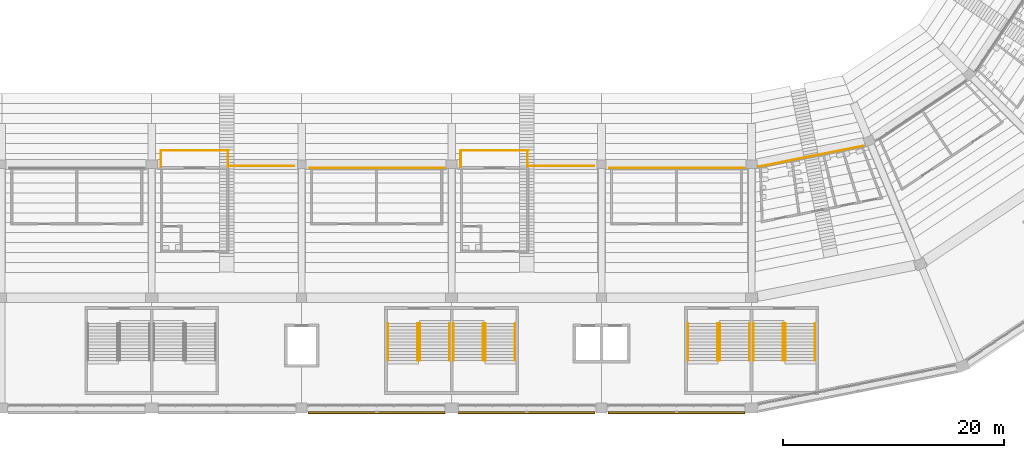
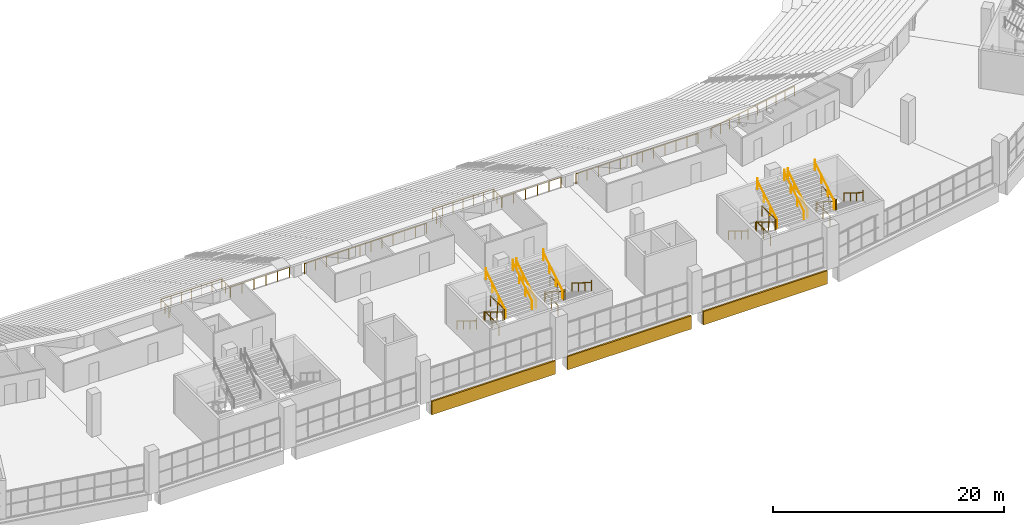
# One storey, part 235 of 249: 35 railings, 3 coverings.
"""IFC4 building model written with IfcOpenShell, lengths in metres."""

from ifc_helpers import new_model, si_unit, direction, frame, origin, origin_2d, place, context, subcontext, project, spatial, polyline, circle, outline, extrude, material, layer, layer_set, type_object, element, save


model = new_model("IFC4")

# Units and contexts
model_context = context("Model", 3, precision=1e-05, world=origin(), true_north=direction((0.0, 1.0)))
body_context = subcontext(model_context, "Body", "Model", "MODEL_VIEW")
ifc_project = project(units=[si_unit("LENGTHUNIT", "METRE"), si_unit("AREAUNIT", "SQUARE_METRE"), si_unit("VOLUMEUNIT", "CUBIC_METRE"), si_unit("PLANEANGLEUNIT", "RADIAN"), si_unit("MASSUNIT", "GRAM", prefix="KILO")], contexts=[model_context])

# Site, building, storey
site_placement = place(None, origin())
site = spatial("IfcSite", under=ifc_project, at=site_placement, CompositionType="ELEMENT")
building_placement = place(site_placement, origin())
building = spatial("IfcBuilding", under=site, at=building_placement, Name="Ogive Plaza Stadium", CompositionType="ELEMENT")
storey_placement = place(building_placement, frame((0.0, 0.0, 13.5)))
storey = spatial("IfcBuildingStorey", under=building, at=storey_placement, Name="L03", CompositionType="ELEMENT", Elevation=13.5)

# Railings
ifc_material_1 = material(Name="Steel ASTM A572 Grade 50", Category="steel")
railing_type_1 = type_object("IfcRailingType", Name="Guard 1100", PredefinedType="GUARDRAIL", material=ifc_material_1)
for number, where, name in (
    (1, (31.02490234375, -94.85009765625, 0.0), "Stair well guard ST12A L03"),
    (2, (31.02490234375, -95.81005859375, 2.25), "Stair well guard ST12A L03"),
    (3, (36.97509765625, -94.85009765625, 0.0), "Stair well guard ST12B L03"),
    (4, (36.97509765625, -95.81005859375, 2.25), "Stair well guard ST12B L03"),
    (5, (3.824951171875, -94.85009765625, 0.0), "Stair well guard ST14A L03"),
    (6, (3.824951171875, -95.81005859375, 2.25), "Stair well guard ST14A L03"),
    (7, (9.77490234375, -94.85009765625, 0.0), "Stair well guard ST14B L03"),
    (8, (9.77490234375, -95.81005859375, 2.25), "Stair well guard ST14B L03"),
):
    element("IfcRailing", number, at=place(storey_placement, frame(where)), inside=storey, type_object=railing_type_1, Name=name, PredefinedType="GUARDRAIL", context=body_context, shape_type="SweptSolid", body=[
        extrude(circle(Radius=0.02392578125, at=origin_2d()), frame((0.0, 0.0, 1.076171875), z_axis=(0.0, -1.0, 0.0), x_axis=(1.0, 0.0, 0.0)), (0.0, 0.0, 1.0), 2.39990234375),
        extrude(circle(Radius=0.02099609375, at=origin_2d()), origin(), (0.0, 0.0, 1.0), 1.052001953125),
        extrude(circle(Radius=0.02099609375, at=origin_2d()), frame((0.0, -1.199951171875, 0.0)), (0.0, 0.0, 1.0), 1.052001953125),
        extrude(circle(Radius=0.02099609375, at=origin_2d()), frame((0.0, -2.39990234375, 0.0)), (0.0, 0.0, 1.0), 1.052001953125),
    ])
railing_1_placement = place(storey_placement, frame((44.124267578125, -78.736083984375, 0.0)))
element("IfcRailing", 9, at=railing_1_placement, inside=storey, type_object=railing_type_1, Name="Guard L03 B11", PredefinedType="GUARDRAIL", context=body_context, shape_type="SweptSolid", body=[
    extrude(circle(Radius=0.02392578125, at=origin_2d()), frame((0.0, 0.0, 1.076171875), z_axis=(-0.980782150928, -0.195106054289, 0.0), x_axis=(0.195106054289, -0.980782150928, 0.0)), (0.0, 0.0, 1.0), 9.62255859375),
    extrude(circle(Radius=0.02099609375, at=origin_2d()), origin(), (0.0, 0.0, 1.0), 1.052001953125),
    extrude(circle(Radius=0.02099609375, at=origin_2d()), frame((-1.048583984375, -0.20849609375, 0.0)), (0.0, 0.0, 1.0), 1.052001953125),
    extrude(circle(Radius=0.02099609375, at=origin_2d()), frame((-2.09716796875, -0.417236328125, 0.0)), (0.0, 0.0, 1.0), 1.052001953125),
    extrude(circle(Radius=0.02099609375, at=origin_2d()), frame((-3.14599609375, -0.625732421875, 0.0)), (0.0, 0.0, 1.0), 1.052001953125),
    extrude(circle(Radius=0.02099609375, at=origin_2d()), frame((-4.194580078125, -0.83447265625, 0.0)), (0.0, 0.0, 1.0), 1.052001953125),
    extrude(circle(Radius=0.02099609375, at=origin_2d()), frame((-5.2431640625, -1.04296875, 0.0)), (0.0, 0.0, 1.0), 1.052001953125),
    extrude(circle(Radius=0.02099609375, at=origin_2d()), frame((-6.291748046875, -1.251708984375, 0.0)), (0.0, 0.0, 1.0), 1.052001953125),
    extrude(circle(Radius=0.02099609375, at=origin_2d()), frame((-7.340576171875, -1.460205078125, 0.0)), (0.0, 0.0, 1.0), 1.052001953125),
    extrude(circle(Radius=0.02099609375, at=origin_2d()), frame((-8.38916015625, -1.6689453125, 0.0)), (0.0, 0.0, 1.0), 1.052001953125),
    extrude(circle(Radius=0.02099609375, at=origin_2d()), frame((-9.437744140625, -1.87744140625, 0.0)), (0.0, 0.0, 1.0), 1.052001953125),
])
railing_2_placement = place(storey_placement, frame((33.300048828125, -80.75, 0.0)))
element("IfcRailing", 10, at=railing_2_placement, inside=storey, type_object=railing_type_1, Name="Guard L03 B12", PredefinedType="GUARDRAIL", context=body_context, shape_type="SweptSolid", body=[
    extrude(circle(Radius=0.02392578125, at=origin_2d()), frame((0.0, 0.0, 1.076171875), z_axis=(-1.0, 0.0, 0.0), x_axis=(0.0, -1.0, 0.0)), (0.0, 0.0, 1.0), 12.199951171875),
    extrude(circle(Radius=0.02099609375, at=origin_2d()), origin(), (0.0, 0.0, 1.0), 1.052001953125),
    extrude(circle(Radius=0.02099609375, at=origin_2d()), frame((-1.109130859375, 0.0, 0.0)), (0.0, 0.0, 1.0), 1.052001953125),
    extrude(circle(Radius=0.02099609375, at=origin_2d()), frame((-2.21826171875, 0.0, 0.0)), (0.0, 0.0, 1.0), 1.052001953125),
    extrude(circle(Radius=0.02099609375, at=origin_2d()), frame((-3.3271484375, 0.0, 0.0)), (0.0, 0.0, 1.0), 1.052001953125),
    extrude(circle(Radius=0.02099609375, at=origin_2d()), frame((-4.436279296875, 0.0, 0.0)), (0.0, 0.0, 1.0), 1.052001953125),
    extrude(circle(Radius=0.02099609375, at=origin_2d()), frame((-5.54541015625, 0.0, 0.0)), (0.0, 0.0, 1.0), 1.052001953125),
    extrude(circle(Radius=0.02099609375, at=origin_2d()), frame((-6.654541015625, 0.0, 0.0)), (0.0, 0.0, 1.0), 1.052001953125),
    extrude(circle(Radius=0.02099609375, at=origin_2d()), frame((-7.763671875, 0.0, 0.0)), (0.0, 0.0, 1.0), 1.052001953125),
    extrude(circle(Radius=0.02099609375, at=origin_2d()), frame((-8.872802734375, 0.0, 0.0)), (0.0, 0.0, 1.0), 1.052001953125),
    extrude(circle(Radius=0.02099609375, at=origin_2d()), frame((-9.981689453125, 0.0, 0.0)), (0.0, 0.0, 1.0), 1.052001953125),
    extrude(circle(Radius=0.02099609375, at=origin_2d()), frame((-11.0908203125, 0.0, 0.0)), (0.0, 0.0, 1.0), 1.052001953125),
    extrude(circle(Radius=0.02099609375, at=origin_2d()), frame((-12.199951171875, 0.0, 0.0)), (0.0, 0.0, 1.0), 1.052001953125),
])
railing_3_placement = place(storey_placement, frame((6.10009765625, -80.75, 0.0)))
element("IfcRailing", 11, at=railing_3_placement, inside=storey, type_object=railing_type_1, Name="Guard L03 B14", PredefinedType="GUARDRAIL", context=body_context, shape_type="SweptSolid", body=[
    extrude(circle(Radius=0.02392578125, at=origin_2d()), frame((0.0, 0.0, 1.076171875), z_axis=(-1.0, 0.0, 0.0), x_axis=(0.0, -1.0, 0.0)), (0.0, 0.0, 1.0), 12.2001953125),
    extrude(circle(Radius=0.02099609375, at=origin_2d()), origin(), (0.0, 0.0, 1.0), 1.052001953125),
    extrude(circle(Radius=0.02099609375, at=origin_2d()), frame((-1.109130859375, 0.0, 0.0)), (0.0, 0.0, 1.0), 1.052001953125),
    extrude(circle(Radius=0.02099609375, at=origin_2d()), frame((-2.21826171875, 0.0, 0.0)), (0.0, 0.0, 1.0), 1.052001953125),
    extrude(circle(Radius=0.02099609375, at=origin_2d()), frame((-3.327392578125, 0.0, 0.0)), (0.0, 0.0, 1.0), 1.052001953125),
    extrude(circle(Radius=0.02099609375, at=origin_2d()), frame((-4.4365234375, 0.0, 0.0)), (0.0, 0.0, 1.0), 1.052001953125),
    extrude(circle(Radius=0.02099609375, at=origin_2d()), frame((-5.545654296875, 0.0, 0.0)), (0.0, 0.0, 1.0), 1.052001953125),
    extrude(circle(Radius=0.02099609375, at=origin_2d()), frame((-6.654541015625, 0.0, 0.0)), (0.0, 0.0, 1.0), 1.052001953125),
    extrude(circle(Radius=0.02099609375, at=origin_2d()), frame((-7.763671875, 0.0, 0.0)), (0.0, 0.0, 1.0), 1.052001953125),
    extrude(circle(Radius=0.02099609375, at=origin_2d()), frame((-8.872802734375, 0.0, 0.0)), (0.0, 0.0, 1.0), 1.052001953125),
    extrude(circle(Radius=0.02099609375, at=origin_2d()), frame((-9.98193359375, 0.0, 0.0)), (0.0, 0.0, 1.0), 1.052001953125),
    extrude(circle(Radius=0.02099609375, at=origin_2d()), frame((-11.091064453125, 0.0, 0.0)), (0.0, 0.0, 1.0), 1.052001953125),
    extrude(circle(Radius=0.02099609375, at=origin_2d()), frame((-12.2001953125, 0.0, 0.0)), (0.0, 0.0, 1.0), 1.052001953125),
])
railing_4_placement = place(storey_placement, frame((7.625, -79.14990234375, 0.0)))
element("IfcRailing", 12, at=railing_4_placement, inside=storey, type_object=railing_type_1, Name="Terrace guard B13", PredefinedType="GUARDRAIL", context=body_context, shape_type="SweptSolid", body=[
    extrude(circle(Radius=0.02392578125, at=origin_2d()), frame((0.0, 0.0, 1.076171875), z_axis=(1.0, 0.0, 0.0), x_axis=(0.0, 1.0, 0.0)), (0.0, 0.0, 1.0), 6.14990234375),
    extrude(circle(Radius=0.02099609375, at=origin_2d()), origin(), (0.0, 0.0, 1.0), 1.052001953125),
    extrude(circle(Radius=0.02099609375, at=origin_2d()), frame((1.02490234375, 0.0, 0.0)), (0.0, 0.0, 1.0), 1.052001953125),
    extrude(circle(Radius=0.02099609375, at=origin_2d()), frame((2.050048828125, 0.0, 0.0)), (0.0, 0.0, 1.0), 1.052001953125),
    extrude(circle(Radius=0.02099609375, at=origin_2d()), frame((3.074951171875, 0.0, 0.0)), (0.0, 0.0, 1.0), 1.052001953125),
    extrude(circle(Radius=0.02099609375, at=origin_2d()), frame((4.099853515625, 0.0, 0.0)), (0.0, 0.0, 1.0), 1.052001953125),
    extrude(circle(Radius=0.02099609375, at=origin_2d()), frame((5.125, 0.0, 0.0)), (0.0, 0.0, 1.0), 1.052001953125),
    extrude(circle(Radius=0.02099609375, at=origin_2d()), frame((6.14990234375, 0.0, 0.0)), (0.0, 0.0, 1.0), 1.052001953125),
])
railing_5_placement = place(storey_placement, frame((13.77490234375, -80.550048828125, 0.0)))
element("IfcRailing", 13, at=railing_5_placement, inside=storey, type_object=railing_type_1, Name="Floor edge guard B13", PredefinedType="GUARDRAIL", context=body_context, shape_type="SweptSolid", body=[
    extrude(circle(Radius=0.02392578125, at=origin_2d()), frame((0.0, 0.0, 1.076171875), z_axis=(1.0, 0.0, 0.0), x_axis=(0.0, 1.0, 0.0)), (0.0, 0.0, 1.0), 5.925048828125),
    extrude(circle(Radius=0.02099609375, at=origin_2d()), origin(), (0.0, 0.0, 1.0), 1.052001953125),
    extrude(circle(Radius=0.02099609375, at=origin_2d()), frame((1.18505859375, 0.0, 0.0)), (0.0, 0.0, 1.0), 1.052001953125),
    extrude(circle(Radius=0.02099609375, at=origin_2d()), frame((2.3701171875, 0.0, 0.0)), (0.0, 0.0, 1.0), 1.052001953125),
    extrude(circle(Radius=0.02099609375, at=origin_2d()), frame((3.554931640625, 0.0, 0.0)), (0.0, 0.0, 1.0), 1.052001953125),
    extrude(circle(Radius=0.02099609375, at=origin_2d()), frame((4.739990234375, 0.0, 0.0)), (0.0, 0.0, 1.0), 1.052001953125),
    extrude(circle(Radius=0.02099609375, at=origin_2d()), frame((5.925048828125, 0.0, 0.0)), (0.0, 0.0, 1.0), 1.052001953125),
])
for number, where, name in (
    (14, (7.625, -79.14990234375, 0.0), "Terrace screen B13"),
    (15, (13.699951171875, -79.14990234375, 0.0), "Terrace screen B13"),
):
    element("IfcRailing", number, at=place(storey_placement, frame(where)), inside=storey, type_object=railing_type_1, Name=name, PredefinedType="GUARDRAIL", context=body_context, shape_type="SweptSolid", body=[
        extrude(circle(Radius=0.02392578125, at=origin_2d()), frame((0.0, 0.0, 1.076171875), z_axis=(0.0, -1.0, 0.0), x_axis=(1.0, 0.0, 0.0)), (0.0, 0.0, 1.0), 1.4501953125),
        extrude(circle(Radius=0.02099609375, at=origin_2d()), origin(), (0.0, 0.0, 1.0), 1.052001953125),
        extrude(circle(Radius=0.02099609375, at=origin_2d()), frame((0.0, -0.72509765625, 0.0)), (0.0, 0.0, 1.0), 1.052001953125),
        extrude(circle(Radius=0.02099609375, at=origin_2d()), frame((0.0, -1.4501953125, 0.0)), (0.0, 0.0, 1.0), 1.052001953125),
    ])
railing_6_placement = place(storey_placement, frame((-19.574951171875, -79.14990234375, 0.0)))
element("IfcRailing", 16, at=railing_6_placement, inside=storey, type_object=railing_type_1, Name="Terrace guard B15", PredefinedType="GUARDRAIL", context=body_context, shape_type="SweptSolid", body=[
    extrude(circle(Radius=0.02392578125, at=origin_2d()), frame((0.0, 0.0, 1.076171875), z_axis=(1.0, 0.0, 0.0), x_axis=(0.0, 1.0, 0.0)), (0.0, 0.0, 1.0), 6.14990234375),
    extrude(circle(Radius=0.02099609375, at=origin_2d()), origin(), (0.0, 0.0, 1.0), 1.052001953125),
    extrude(circle(Radius=0.02099609375, at=origin_2d()), frame((1.02490234375, 0.0, 0.0)), (0.0, 0.0, 1.0), 1.052001953125),
    extrude(circle(Radius=0.02099609375, at=origin_2d()), frame((2.050048828125, 0.0, 0.0)), (0.0, 0.0, 1.0), 1.052001953125),
    extrude(circle(Radius=0.02099609375, at=origin_2d()), frame((3.074951171875, 0.0, 0.0)), (0.0, 0.0, 1.0), 1.052001953125),
    extrude(circle(Radius=0.02099609375, at=origin_2d()), frame((4.099853515625, 0.0, 0.0)), (0.0, 0.0, 1.0), 1.052001953125),
    extrude(circle(Radius=0.02099609375, at=origin_2d()), frame((5.125, 0.0, 0.0)), (0.0, 0.0, 1.0), 1.052001953125),
    extrude(circle(Radius=0.02099609375, at=origin_2d()), frame((6.14990234375, 0.0, 0.0)), (0.0, 0.0, 1.0), 1.052001953125),
])
railing_7_placement = place(storey_placement, frame((-13.425048828125, -80.550048828125, 0.0)))
element("IfcRailing", 17, at=railing_7_placement, inside=storey, type_object=railing_type_1, Name="Floor edge guard B15", PredefinedType="GUARDRAIL", context=body_context, shape_type="SweptSolid", body=[
    extrude(circle(Radius=0.02392578125, at=origin_2d()), frame((0.0, 0.0, 1.076171875), z_axis=(1.0, 0.0, 0.0), x_axis=(0.0, 1.0, 0.0)), (0.0, 0.0, 1.0), 5.925048828125),
    extrude(circle(Radius=0.02099609375, at=origin_2d()), origin(), (0.0, 0.0, 1.0), 1.052001953125),
    extrude(circle(Radius=0.02099609375, at=origin_2d()), frame((1.18505859375, 0.0, 0.0)), (0.0, 0.0, 1.0), 1.052001953125),
    extrude(circle(Radius=0.02099609375, at=origin_2d()), frame((2.3701171875, 0.0, 0.0)), (0.0, 0.0, 1.0), 1.052001953125),
    extrude(circle(Radius=0.02099609375, at=origin_2d()), frame((3.554931640625, 0.0, 0.0)), (0.0, 0.0, 1.0), 1.052001953125),
    extrude(circle(Radius=0.02099609375, at=origin_2d()), frame((4.739990234375, 0.0, 0.0)), (0.0, 0.0, 1.0), 1.052001953125),
    extrude(circle(Radius=0.02099609375, at=origin_2d()), frame((5.925048828125, 0.0, 0.0)), (0.0, 0.0, 1.0), 1.052001953125),
])
for number, where, name in (
    (18, (-19.574951171875, -79.14990234375, 0.0), "Terrace screen B15"),
    (19, (-13.5, -79.14990234375, 0.0), "Terrace screen B15"),
):
    element("IfcRailing", number, at=place(storey_placement, frame(where)), inside=storey, type_object=railing_type_1, Name=name, PredefinedType="GUARDRAIL", context=body_context, shape_type="SweptSolid", body=[
        extrude(circle(Radius=0.02392578125, at=origin_2d()), frame((0.0, 0.0, 1.076171875), z_axis=(0.0, -1.0, 0.0), x_axis=(1.0, 0.0, 0.0)), (0.0, 0.0, 1.0), 1.4501953125),
        extrude(circle(Radius=0.02099609375, at=origin_2d()), origin(), (0.0, 0.0, 1.0), 1.052001953125),
        extrude(circle(Radius=0.02099609375, at=origin_2d()), frame((0.0, -0.72509765625, 0.0)), (0.0, 0.0, 1.0), 1.052001953125),
        extrude(circle(Radius=0.02099609375, at=origin_2d()), frame((0.0, -1.4501953125, 0.0)), (0.0, 0.0, 1.0), 1.052001953125),
    ])
ifc_material_2 = material(Name="Steel ASTM A572 Grade 50", Category="steel")
railing_type_2 = type_object("IfcRailingType", Name="Handrail 900", PredefinedType="HANDRAIL", material=ifc_material_2)
for number, where, name in (
    (20, (28.235107421875, -94.85009765625, 0.173095703125), "Handrail ST12A L03"),
    (21, (30.9150390625, -94.85009765625, 0.173095703125), "Handrail ST12A L03"),
):
    element("IfcRailing", number, at=place(storey_placement, frame(where)), inside=storey, type_object=railing_type_2, Name=name, PredefinedType="HANDRAIL", context=body_context, shape_type="SweptSolid", body=[
        extrude(circle(Radius=0.02392578125, at=origin_2d()), frame((0.0, 0.0, 0.8759765625), z_axis=(0.0, -0.850606129759, 0.525803396734), x_axis=(1.0, 0.0, 0.0)), (0.0, 0.0, 1.0), 3.949951171875),
        extrude(circle(Radius=0.02099609375, at=origin_2d()), origin(), (0.0, 0.0, 1.0), 0.851806640625),
        extrude(circle(Radius=0.02099609375, at=origin_2d()), frame((0.0, -1.119873046875, 0.6923828125)), (0.0, 0.0, 1.0), 0.851806640625),
        extrude(circle(Radius=0.02099609375, at=origin_2d()), frame((0.0, -2.239990234375, 1.384521484375)), (0.0, 0.0, 1.0), 0.851806640625),
        extrude(circle(Radius=0.02099609375, at=origin_2d()), frame((0.0, -3.35986328125, 2.076904296875)), (0.0, 0.0, 1.0), 1.10009765625),
    ])
for number, where, name in (
    (22, (31.135009765625, -98.2099609375, 2.423095703125), "Handrail ST12A L03"),
    (23, (33.81494140625, -98.2099609375, 2.423095703125), "Handrail ST12A L03"),
):
    element("IfcRailing", number, at=place(storey_placement, frame(where)), inside=storey, type_object=railing_type_2, Name=name, PredefinedType="HANDRAIL", context=body_context, shape_type="SweptSolid", body=[
        extrude(circle(Radius=0.02392578125, at=origin_2d()), frame((0.0, 0.0, 0.8759765625), z_axis=(0.0, 0.850606129759, 0.525803396734), x_axis=(-1.0, 0.0, 0.0)), (0.0, 0.0, 1.0), 3.949951171875),
        extrude(circle(Radius=0.02099609375, at=origin_2d()), origin(), (0.0, 0.0, 1.0), 0.851806640625),
        extrude(circle(Radius=0.02099609375, at=origin_2d()), frame((0.0, 1.119873046875, 0.6923828125)), (0.0, 0.0, 1.0), 0.851806640625),
        extrude(circle(Radius=0.02099609375, at=origin_2d()), frame((0.0, 2.239990234375, 1.384521484375)), (0.0, 0.0, 1.0), 0.851806640625),
        extrude(circle(Radius=0.02099609375, at=origin_2d()), frame((0.0, 3.35986328125, 2.076904296875)), (0.0, 0.0, 1.0), 1.10009765625),
    ])
for number, where, name in (
    (24, (37.0849609375, -94.85009765625, 0.173095703125), "Handrail ST12B L03"),
    (25, (39.764892578125, -94.85009765625, 0.173095703125), "Handrail ST12B L03"),
):
    element("IfcRailing", number, at=place(storey_placement, frame(where)), inside=storey, type_object=railing_type_2, Name=name, PredefinedType="HANDRAIL", context=body_context, shape_type="SweptSolid", body=[
        extrude(circle(Radius=0.02392578125, at=origin_2d()), frame((0.0, 0.0, 0.8759765625), z_axis=(0.0, -0.850606129759, 0.525803396734), x_axis=(1.0, 0.0, 0.0)), (0.0, 0.0, 1.0), 3.949951171875),
        extrude(circle(Radius=0.02099609375, at=origin_2d()), origin(), (0.0, 0.0, 1.0), 0.851806640625),
        extrude(circle(Radius=0.02099609375, at=origin_2d()), frame((0.0, -1.119873046875, 0.6923828125)), (0.0, 0.0, 1.0), 0.851806640625),
        extrude(circle(Radius=0.02099609375, at=origin_2d()), frame((0.0, -2.239990234375, 1.384521484375)), (0.0, 0.0, 1.0), 0.851806640625),
        extrude(circle(Radius=0.02099609375, at=origin_2d()), frame((0.0, -3.35986328125, 2.076904296875)), (0.0, 0.0, 1.0), 1.10009765625),
    ])
for number, where, name in (
    (26, (34.18505859375, -98.2099609375, 2.423095703125), "Handrail ST12B L03"),
    (27, (36.864990234375, -98.2099609375, 2.423095703125), "Handrail ST12B L03"),
):
    element("IfcRailing", number, at=place(storey_placement, frame(where)), inside=storey, type_object=railing_type_2, Name=name, PredefinedType="HANDRAIL", context=body_context, shape_type="SweptSolid", body=[
        extrude(circle(Radius=0.02392578125, at=origin_2d()), frame((0.0, 0.0, 0.8759765625), z_axis=(0.0, 0.850606129759, 0.525803396734), x_axis=(-1.0, 0.0, 0.0)), (0.0, 0.0, 1.0), 3.949951171875),
        extrude(circle(Radius=0.02099609375, at=origin_2d()), origin(), (0.0, 0.0, 1.0), 0.851806640625),
        extrude(circle(Radius=0.02099609375, at=origin_2d()), frame((0.0, 1.119873046875, 0.6923828125)), (0.0, 0.0, 1.0), 0.851806640625),
        extrude(circle(Radius=0.02099609375, at=origin_2d()), frame((0.0, 2.239990234375, 1.384521484375)), (0.0, 0.0, 1.0), 0.851806640625),
        extrude(circle(Radius=0.02099609375, at=origin_2d()), frame((0.0, 3.35986328125, 2.076904296875)), (0.0, 0.0, 1.0), 1.10009765625),
    ])
for number, where, name in (
    (28, (1.034912109375, -94.85009765625, 0.173095703125), "Handrail ST14A L03"),
    (29, (3.715087890625, -94.85009765625, 0.173095703125), "Handrail ST14A L03"),
):
    element("IfcRailing", number, at=place(storey_placement, frame(where)), inside=storey, type_object=railing_type_2, Name=name, PredefinedType="HANDRAIL", context=body_context, shape_type="SweptSolid", body=[
        extrude(circle(Radius=0.02392578125, at=origin_2d()), frame((0.0, 0.0, 0.8759765625), z_axis=(0.0, -0.850606129759, 0.525803396734), x_axis=(1.0, 0.0, 0.0)), (0.0, 0.0, 1.0), 3.949951171875),
        extrude(circle(Radius=0.02099609375, at=origin_2d()), origin(), (0.0, 0.0, 1.0), 0.851806640625),
        extrude(circle(Radius=0.02099609375, at=origin_2d()), frame((0.0, -1.119873046875, 0.6923828125)), (0.0, 0.0, 1.0), 0.851806640625),
        extrude(circle(Radius=0.02099609375, at=origin_2d()), frame((0.0, -2.239990234375, 1.384521484375)), (0.0, 0.0, 1.0), 0.851806640625),
        extrude(circle(Radius=0.02099609375, at=origin_2d()), frame((0.0, -3.35986328125, 2.076904296875)), (0.0, 0.0, 1.0), 1.10009765625),
    ])
for number, where, name in (
    (30, (3.93505859375, -98.2099609375, 2.423095703125), "Handrail ST14A L03"),
    (31, (6.614990234375, -98.2099609375, 2.423095703125), "Handrail ST14A L03"),
):
    element("IfcRailing", number, at=place(storey_placement, frame(where)), inside=storey, type_object=railing_type_2, Name=name, PredefinedType="HANDRAIL", context=body_context, shape_type="SweptSolid", body=[
        extrude(circle(Radius=0.02392578125, at=origin_2d()), frame((0.0, 0.0, 0.8759765625), z_axis=(0.0, 0.850606129759, 0.525803396734), x_axis=(-1.0, 0.0, 0.0)), (0.0, 0.0, 1.0), 3.949951171875),
        extrude(circle(Radius=0.02099609375, at=origin_2d()), origin(), (0.0, 0.0, 1.0), 0.851806640625),
        extrude(circle(Radius=0.02099609375, at=origin_2d()), frame((0.0, 1.119873046875, 0.6923828125)), (0.0, 0.0, 1.0), 0.851806640625),
        extrude(circle(Radius=0.02099609375, at=origin_2d()), frame((0.0, 2.239990234375, 1.384521484375)), (0.0, 0.0, 1.0), 0.851806640625),
        extrude(circle(Radius=0.02099609375, at=origin_2d()), frame((0.0, 3.35986328125, 2.076904296875)), (0.0, 0.0, 1.0), 1.10009765625),
    ])
for number, where, name in (
    (32, (9.885009765625, -94.85009765625, 0.173095703125), "Handrail ST14B L03"),
    (33, (12.56494140625, -94.85009765625, 0.173095703125), "Handrail ST14B L03"),
):
    element("IfcRailing", number, at=place(storey_placement, frame(where)), inside=storey, type_object=railing_type_2, Name=name, PredefinedType="HANDRAIL", context=body_context, shape_type="SweptSolid", body=[
        extrude(circle(Radius=0.02392578125, at=origin_2d()), frame((0.0, 0.0, 0.8759765625), z_axis=(0.0, -0.850606129759, 0.525803396734), x_axis=(1.0, 0.0, 0.0)), (0.0, 0.0, 1.0), 3.949951171875),
        extrude(circle(Radius=0.02099609375, at=origin_2d()), origin(), (0.0, 0.0, 1.0), 0.851806640625),
        extrude(circle(Radius=0.02099609375, at=origin_2d()), frame((0.0, -1.119873046875, 0.6923828125)), (0.0, 0.0, 1.0), 0.851806640625),
        extrude(circle(Radius=0.02099609375, at=origin_2d()), frame((0.0, -2.239990234375, 1.384521484375)), (0.0, 0.0, 1.0), 0.851806640625),
        extrude(circle(Radius=0.02099609375, at=origin_2d()), frame((0.0, -3.35986328125, 2.076904296875)), (0.0, 0.0, 1.0), 1.10009765625),
    ])
for number, where, name in (
    (34, (6.985107421875, -98.2099609375, 2.423095703125), "Handrail ST14B L03"),
    (35, (9.6650390625, -98.2099609375, 2.423095703125), "Handrail ST14B L03"),
):
    element("IfcRailing", number, at=place(storey_placement, frame(where)), inside=storey, type_object=railing_type_2, Name=name, PredefinedType="HANDRAIL", context=body_context, shape_type="SweptSolid", body=[
        extrude(circle(Radius=0.02392578125, at=origin_2d()), frame((0.0, 0.0, 0.8759765625), z_axis=(0.0, 0.850606129759, 0.525803396734), x_axis=(-1.0, 0.0, 0.0)), (0.0, 0.0, 1.0), 3.949951171875),
        extrude(circle(Radius=0.02099609375, at=origin_2d()), origin(), (0.0, 0.0, 1.0), 0.851806640625),
        extrude(circle(Radius=0.02099609375, at=origin_2d()), frame((0.0, 1.119873046875, 0.6923828125)), (0.0, 0.0, 1.0), 0.851806640625),
        extrude(circle(Radius=0.02099609375, at=origin_2d()), frame((0.0, 2.239990234375, 1.384521484375)), (0.0, 0.0, 1.0), 0.851806640625),
        extrude(circle(Radius=0.02099609375, at=origin_2d()), frame((0.0, 3.35986328125, 2.076904296875)), (0.0, 0.0, 1.0), 1.10009765625),
    ])

# Coverings
ifc_material_3 = material(Name="Cast stone (reconstituted limestone)", Category="masonry")
ifc_layer = layer(ifc_material_3, 0.159912109375)
ifc_layer_set = layer_set([ifc_layer], Name="Precast spandrel cladding 160")
covering_type = type_object("IfcCoveringType", Name="Precast spandrel cladding 160", PredefinedType="CLADDING", material=ifc_layer_set)
covering_1_placement = place(storey_placement, frame((0.0, 0.0, -1.409912109375)))
element("IfcCovering", 36, at=covering_1_placement, inside=storey, type_object=covering_type, Name="SPANDREL CLADDING B12 L03", PredefinedType="CLADDING", context=body_context, shape_type="SweptSolid", body=[
    extrude(outline(polyline([(33.39990234375, -102.85009765625), (21.0, -102.85009765625), (21.0, -103.010009765625), (33.39990234375, -103.010009765625), (33.39990234375, -102.85009765625)])), origin(), (0.0, 0.0, 1.0), 1.409912109375),
])
covering_2_placement = place(storey_placement, frame((0.0, 0.0, -1.409912109375)))
element("IfcCovering", 37, at=covering_2_placement, inside=storey, type_object=covering_type, Name="SPANDREL CLADDING B13 L03", PredefinedType="CLADDING", context=body_context, shape_type="SweptSolid", body=[
    extrude(outline(polyline([(19.800048828125, -102.85009765625), (7.39990234375, -102.85009765625), (7.39990234375, -103.010009765625), (19.800048828125, -103.010009765625), (19.800048828125, -102.85009765625)])), origin(), (0.0, 0.0, 1.0), 1.409912109375),
])
covering_3_placement = place(storey_placement, frame((0.0, 0.0, -1.409912109375)))
element("IfcCovering", 38, at=covering_3_placement, inside=storey, type_object=covering_type, Name="SPANDREL CLADDING B14 L03", PredefinedType="CLADDING", context=body_context, shape_type="SweptSolid", body=[
    extrude(outline(polyline([(6.199951171875, -102.85009765625), (-6.199951171875, -102.85009765625), (-6.199951171875, -103.010009765625), (6.199951171875, -103.010009765625), (6.199951171875, -102.85009765625)])), origin(), (0.0, 0.0, 1.0), 1.409912109375),
])

save(model, "model.ifc")
